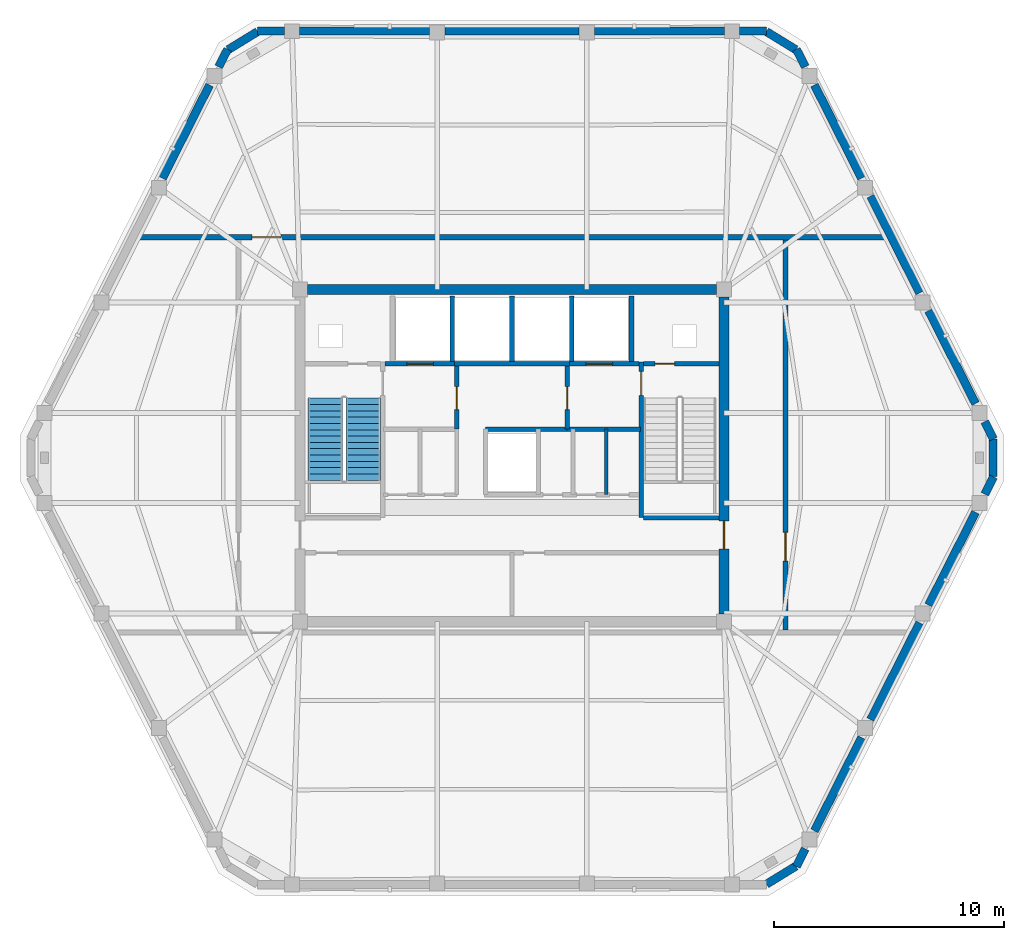
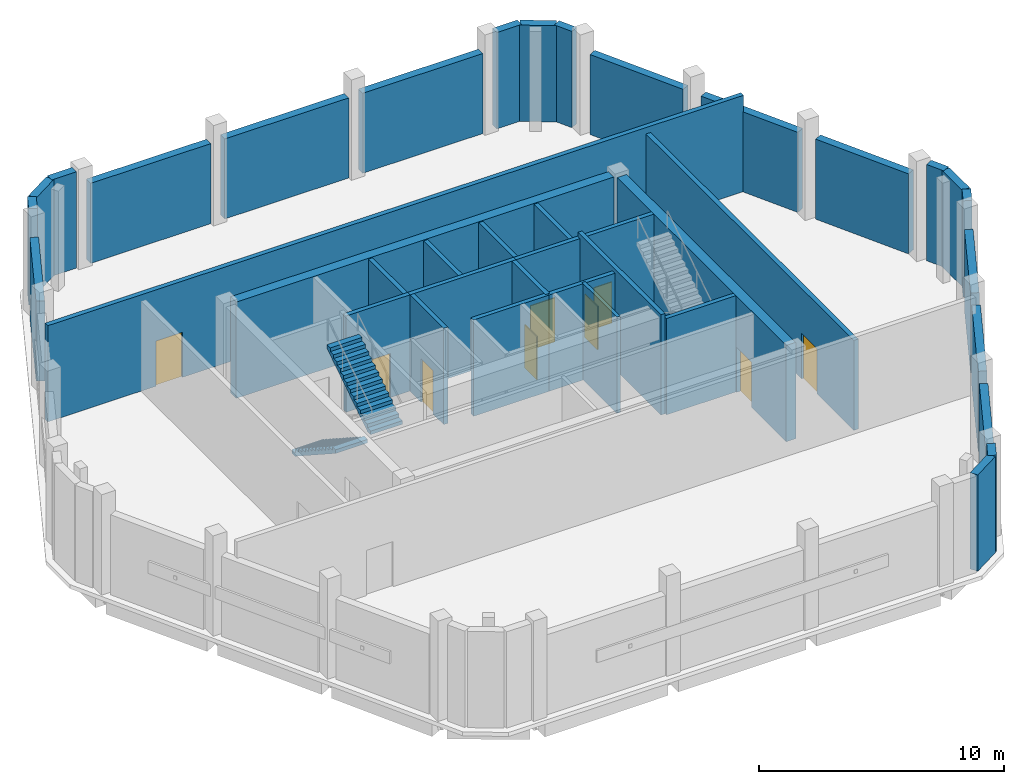
# One storey, part 4 of 8: 40 walls, 9 doors, 2 stair flights, 9 openings, 1 element without a shape of its own.
"""IFC4 building model written with IfcOpenShell, lengths in metres."""

from ifc_helpers import new_model, si_unit, direction, frame, frame_2d, origin, place, context, subcontext, project, spatial, polyline, rectangle, outline, extrude, material, layer, layer_set, type_object, element, fill, aggregate, save


model = new_model("IFC4")

# Units and contexts
model_context = context("Model", 3, precision=1e-05, world=origin(), true_north=direction((0.0, 1.0)))
body_context = subcontext(model_context, "Body", "Model", "MODEL_VIEW")
ifc_project = project(units=[si_unit("LENGTHUNIT", "METRE"), si_unit("AREAUNIT", "SQUARE_METRE"), si_unit("VOLUMEUNIT", "CUBIC_METRE"), si_unit("PLANEANGLEUNIT", "RADIAN"), si_unit("MASSUNIT", "GRAM", prefix="KILO")], contexts=[model_context])

# Site, building, storey
site_placement = place(None, origin())
site = spatial("IfcSite", under=ifc_project, at=site_placement, CompositionType="ELEMENT")
building_placement = place(site_placement, origin())
building = spatial("IfcBuilding", under=site, at=building_placement, Name="Cinnabar Lancet Tower", CompositionType="ELEMENT")
storey_placement = place(building_placement, frame((0.0, 0.0, 295.5)))
storey = spatial("IfcBuildingStorey", under=building, at=storey_placement, Name="L78", CompositionType="ELEMENT", Elevation=295.5)

# Wall
ifc_material_1 = material(Name="Acoustic twin-stud gypsum partition", Category="gypsum")
ifc_layer_1 = layer(ifc_material_1, 0.159912109375)
ifc_layer_set_1 = layer_set([ifc_layer_1], Name="Acoustic twin-stud gypsum partition")
wall_type_1 = type_object("IfcWallType", Name="ARC-WL-CORR-160", PredefinedType="PARTITIONING", material=ifc_layer_set_1)
wall_1_placement = place(storey_placement, frame((36.5, 24.199951171875, 0.0), z_axis=(0.0, 0.0, 1.0), x_axis=(0.0, 1.0, 0.0)))
element("IfcWall", 1, at=wall_1_placement, inside=storey, type_object=wall_type_1, Name="CW-REC6D2-L78", PredefinedType="PARTITIONING", context=body_context, shape_type="SweptSolid", body=[
    extrude(rectangle(XDim=2.85009765625, YDim=0.159912109375, at=frame_2d((1.425048828125, 0.0))), origin(), (0.0, 0.0, 1.0), 4.800048828125),
])

# Wall, opening, door
ifc_material_2 = material(Name="Acoustic masonry plant room wall", Category="masonry")
ifc_layer_2 = layer(ifc_material_2, 0.219970703125)
ifc_layer_set_2 = layer_set([ifc_layer_2], Name="Acoustic masonry plant room wall")
wall_type_2 = type_object("IfcWallType", Name="ARC-WL-PLANT-220", PredefinedType="PARTITIONING", material=ifc_layer_set_2)
wall_2_placement = place(storey_placement, frame((44.300048828125, 18.31494140625, 0.0), z_axis=(0.0, 0.0, 1.0), x_axis=(0.0, 1.0, 0.0)))
wall_2 = element("IfcWall", 2, at=wall_2_placement, inside=storey, type_object=wall_type_2, Name="PW-L78-PE", PredefinedType="PARTITIONING", context=body_context, shape_type="SweptSolid", body=[
    extrude(rectangle(XDim=16.969970703125, YDim=0.219970703125, at=frame_2d((8.48486328125, 0.0))), origin(), (0.0, 0.0, 1.0), 4.487060546875),
])
opening_1_placement = place(wall_2_placement, frame((3.0, 0.0, 0.0)))
opening_1 = element("IfcOpeningElement", 3, at=opening_1_placement, cuts=wall_2, Name="Opening PD-01", PredefinedType="OPENING", context=body_context, shape_type="SweptSolid", body=[
    extrude(rectangle(XDim=1.25, YDim=2.25, at=frame_2d((0.625, 1.125))), frame((0.0, 0.119873046875, 0.0), z_axis=(0.0, -1.0, 0.0), x_axis=(1.0, 0.0, 0.0)), (0.0, 0.0, 1.0), 0.239990234375),
])
ifc_material_3 = material(Name="Louvred fire-rated steel plant room double door", Category="steel")
door_type_1 = type_object("IfcDoorType", Name="ARC-DR-PLANT", OperationType="NOTDEFINED", PredefinedType="DOOR", material=ifc_material_3)
door_1_placement = place(opening_1_placement, origin())
door_1 = element("IfcDoor", 4, at=door_1_placement, inside=storey, type_object=door_type_1, Name="DR-L78-PLE", OperationType="SINGLE_SWING_LEFT", OverallHeight=2.25, OverallWidth=1.25, PredefinedType="DOOR", context=body_context, shape_type="SweptSolid", body=[
    extrude(rectangle(XDim=1.25, YDim=2.25, at=frame_2d((0.625, 1.125))), frame((0.0, 0.02490234375, 0.0), z_axis=(0.0, -1.0, 0.0), x_axis=(1.0, 0.0, 0.0)), (0.0, 0.0, 1.0), 0.050048828125),
])
fill(opening_1, door_1)

wall_3_placement = place(storey_placement, frame((16.0009765625, 35.39990234375, 0.0), z_axis=(0.0, 0.0, 1.0), x_axis=(1.0, 0.0, 0.0)))
wall_3 = element("IfcWall", 5, at=wall_3_placement, inside=storey, type_object=wall_type_2, Name="PW-L78-PN", PredefinedType="PARTITIONING", context=body_context, shape_type="SweptSolid", body=[
    extrude(rectangle(XDim=32.798095703125, YDim=0.219970703125, at=frame_2d((16.39892578125, 0.0))), origin(), (0.0, 0.0, 1.0), 4.800048828125),
])
opening_2_placement = place(wall_3_placement, frame((5.09912109375, 0.0, 0.0)))
opening_2 = element("IfcOpeningElement", 6, at=opening_2_placement, cuts=wall_3, Name="Opening PD-01", PredefinedType="OPENING", context=body_context, shape_type="SweptSolid", body=[
    extrude(rectangle(XDim=1.25, YDim=2.25, at=frame_2d((0.625, 1.125))), frame((0.0, 0.119873046875, 0.0), z_axis=(0.0, -1.0, 0.0), x_axis=(1.0, 0.0, 0.0)), (0.0, 0.0, 1.0), 0.239990234375),
])
door_2_placement = place(opening_2_placement, origin())
door_2 = element("IfcDoor", 7, at=door_2_placement, inside=storey, type_object=door_type_1, Name="DR-L78-PLN", OperationType="SINGLE_SWING_LEFT", OverallHeight=2.25, OverallWidth=1.25, PredefinedType="DOOR", context=body_context, shape_type="SweptSolid", body=[
    extrude(rectangle(XDim=1.25, YDim=2.25, at=frame_2d((0.625, 1.125))), frame((0.0, 0.02490234375, 0.0), z_axis=(0.0, -1.0, 0.0), x_axis=(1.0, 0.0, 0.0)), (0.0, 0.0, 1.0), 0.050048828125),
])
fill(opening_2, door_2)

# Wall
ifc_material_4 = material(Name="Autoclaved aerated concrete blockwork", Category="masonry")
ifc_layer_3 = layer(ifc_material_4, 0.199951171875)
ifc_layer_set_3 = layer_set([ifc_layer_3], Name="Autoclaved aerated concrete blockwork")
wall_type_3 = type_object("IfcWallType", Name="ARC-WL-SHAFT-200", PredefinedType="PLUMBINGWALL", material=ifc_layer_set_3)
wall_4_placement = place(storey_placement, frame((38.125, 23.199951171875, 0.0), z_axis=(0.0, 0.0, 1.0), x_axis=(1.0, 0.0, 0.0)))
element("IfcWall", 8, at=wall_4_placement, inside=storey, type_object=wall_type_3, Name="CW-ST2S-L78", PredefinedType="PLUMBINGWALL", context=body_context, shape_type="SweptSolid", body=[
    extrude(rectangle(XDim=3.27001953125, YDim=0.199951171875, at=frame_2d((1.635009765625, 0.0))), origin(), (0.0, 0.0, 1.0), 4.800048828125),
])

# Wall, opening, door
wall_5_placement = place(storey_placement, frame((26.885009765625, 29.89990234375, 0.0), z_axis=(0.0, 0.0, 1.0), x_axis=(1.0, 0.0, 0.0)))
wall_5 = element("IfcWall", 9, at=wall_5_placement, inside=storey, type_object=wall_type_3, Name="CW-FL1-L78", PredefinedType="PLUMBINGWALL", context=body_context, shape_type="SweptSolid", body=[
    extrude(rectangle(XDim=3.014892578125, YDim=0.199951171875, at=frame_2d((1.50732421875, 0.0))), origin(), (0.0, 0.0, 1.0), 4.800048828125),
])
opening_3_placement = place(wall_5_placement, frame((0.93994140625, 0.0, 0.0)))
opening_3 = element("IfcOpeningElement", 10, at=opening_3_placement, cuts=wall_5, Name="Opening LD-02", PredefinedType="OPENING", context=body_context, shape_type="SweptSolid", body=[
    extrude(rectangle(XDim=1.14990234375, YDim=2.199951171875, at=frame_2d((0.574951171875, 1.10009765625))), frame((0.0, 0.10986328125, 0.0), z_axis=(0.0, -1.0, 0.0), x_axis=(1.0, 0.0, 0.0)), (0.0, 0.0, 1.0), 0.219970703125),
])
ifc_material_5 = material(Name="Fire-rated stainless steel firefighting lift landing door", Category="steel")
door_type_2 = type_object("IfcDoorType", Name="ARC-DR-LD-FIRE", OperationType="NOTDEFINED", PredefinedType="DOOR", material=ifc_material_5)
door_3_placement = place(opening_3_placement, origin())
door_3 = element("IfcDoor", 11, at=door_3_placement, inside=storey, type_object=door_type_2, Name="L78 Firefighting Lift FL-1 Landing Door", OperationType="DOUBLE_DOOR_SLIDING", OverallHeight=2.199951171875, OverallWidth=1.14990234375, PredefinedType="DOOR", context=body_context, shape_type="SweptSolid", body=[
    extrude(rectangle(XDim=1.14990234375, YDim=2.199951171875, at=frame_2d((0.574951171875, 1.10009765625))), frame((0.0, 0.02490234375, 0.0), z_axis=(0.0, -1.0, 0.0), x_axis=(1.0, 0.0, 0.0)), (0.0, 0.0, 1.0), 0.050048828125),
])
fill(opening_3, door_3)

# Wall
wall_6_placement = place(storey_placement, frame((29.89990234375, 29.89990234375, 0.0), z_axis=(0.0, 0.0, 1.0), x_axis=(1.0, 0.0, 0.0)))
element("IfcWall", 12, at=wall_6_placement, inside=storey, type_object=wall_type_3, Name="CW-PL78-L78", PredefinedType="PLUMBINGWALL", context=body_context, shape_type="SweptSolid", body=[
    extrude(rectangle(XDim=5.0, YDim=0.199951171875, at=frame_2d((2.5, 0.0))), origin(), (0.0, 0.0, 1.0), 4.800048828125),
])

# Wall, opening, door
wall_7_placement = place(storey_placement, frame((34.89990234375, 29.89990234375, 0.0), z_axis=(0.0, 0.0, 1.0), x_axis=(1.0, 0.0, 0.0)))
wall_7 = element("IfcWall", 13, at=wall_7_placement, inside=storey, type_object=wall_type_3, Name="CW-FL2-L78", PredefinedType="PLUMBINGWALL", context=body_context, shape_type="SweptSolid", body=[
    extrude(rectangle(XDim=3.01513671875, YDim=0.199951171875, at=frame_2d((1.507568359375, 0.0))), origin(), (0.0, 0.0, 1.0), 4.800048828125),
])
opening_4_placement = place(wall_7_placement, frame((0.72509765625, 0.0, 0.0)))
opening_4 = element("IfcOpeningElement", 14, at=opening_4_placement, cuts=wall_7, Name="Opening LD-02", PredefinedType="OPENING", context=body_context, shape_type="SweptSolid", body=[
    extrude(rectangle(XDim=1.14990234375, YDim=2.199951171875, at=frame_2d((0.574951171875, 1.10009765625))), frame((0.0, 0.10986328125, 0.0), z_axis=(0.0, -1.0, 0.0), x_axis=(1.0, 0.0, 0.0)), (0.0, 0.0, 1.0), 0.219970703125),
])
door_4_placement = place(opening_4_placement, origin())
door_4 = element("IfcDoor", 15, at=door_4_placement, inside=storey, type_object=door_type_2, Name="L78 Firefighting Lift FL-2 Landing Door", OperationType="DOUBLE_DOOR_SLIDING", OverallHeight=2.199951171875, OverallWidth=1.14990234375, PredefinedType="DOOR", context=body_context, shape_type="SweptSolid", body=[
    extrude(rectangle(XDim=1.14990234375, YDim=2.199951171875, at=frame_2d((0.574951171875, 1.10009765625))), frame((0.0, 0.02490234375, 0.0), z_axis=(0.0, -1.0, 0.0), x_axis=(1.0, 0.0, 0.0)), (0.0, 0.0, 1.0), 0.050048828125),
])
fill(opening_4, door_4)

wall_8_placement = place(storey_placement, frame((38.125, 29.89990234375, 0.0), z_axis=(0.0, 0.0, 1.0), x_axis=(1.0, 0.0, 0.0)))
wall_8 = element("IfcWall", 16, at=wall_8_placement, inside=storey, type_object=wall_type_3, Name="CW-NSH-E-L78", PredefinedType="PLUMBINGWALL", context=body_context, shape_type="SweptSolid", body=[
    extrude(rectangle(XDim=3.27001953125, YDim=0.199951171875, at=frame_2d((1.635009765625, 0.0))), origin(), (0.0, 0.0, 1.0), 4.800048828125),
])
opening_5_placement = place(wall_8_placement, frame((0.5, 0.0, 0.0)))
opening_5 = element("IfcOpeningElement", 17, at=opening_5_placement, cuts=wall_8, Name="Opening PD-02", PredefinedType="OPENING", context=body_context, shape_type="SweptSolid", body=[
    extrude(rectangle(XDim=0.85009765625, YDim=2.050048828125, at=frame_2d((0.425048828125, 1.02490234375))), frame((0.0, 0.10986328125, 0.0), z_axis=(0.0, -1.0, 0.0), x_axis=(1.0, 0.0, 0.0)), (0.0, 0.0, 1.0), 0.219970703125),
])
ifc_material_6 = material(Name="Fire-rated steel riser access door", Category="steel")
door_type_3 = type_object("IfcDoorType", Name="ARC-DR-RISER", OperationType="NOTDEFINED", PredefinedType="DOOR", material=ifc_material_6)
door_5_placement = place(opening_5_placement, origin())
door_5 = element("IfcDoor", 18, at=door_5_placement, inside=storey, type_object=door_type_3, Name="L78 East Riser Access Door", OperationType="SINGLE_SWING_RIGHT", OverallHeight=2.050048828125, OverallWidth=0.85009765625, PredefinedType="DOOR", context=body_context, shape_type="SweptSolid", body=[
    extrude(rectangle(XDim=0.85009765625, YDim=2.050048828125, at=frame_2d((0.425048828125, 1.02490234375))), frame((0.0, 0.02490234375, 0.0), z_axis=(0.0, -1.0, 0.0), x_axis=(1.0, 0.0, 0.0)), (0.0, 0.0, 1.0), 0.050048828125),
])
fill(opening_5, door_5)

# Walls
for number, where, z_axis, x_axis, name in (
    (19, (29.800048828125, 30.0, 0.0), (0.0, 0.0, 1.0), (0.0, 1.0, 0.0), "CW-NSH-D2-L78"),
    (20, (32.39990234375, 30.0, 0.0), (0.0, 0.0, 1.0), (0.0, 1.0, 0.0), "CW-NSH-D3-L78"),
    (21, (35.0, 30.0, 0.0), (0.0, 0.0, 1.0), (0.0, 1.0, 0.0), "CW-NSH-D4-L78"),
    (22, (37.60009765625, 30.0, 0.0), (0.0, 0.0, 1.0), (0.0, 1.0, 0.0), "CW-NSH-D5-L78"),
):
    element("IfcWall", number, at=place(storey_placement, frame(where, z_axis=z_axis, x_axis=x_axis)), inside=storey, type_object=wall_type_3, Name=name, PredefinedType="PLUMBINGWALL", context=body_context, shape_type="SweptSolid", body=[
        extrude(rectangle(XDim=2.85009765625, YDim=0.199951171875, at=frame_2d((1.425048828125, 0.0))), origin(), (0.0, 0.0, 1.0), 4.800048828125),
    ])

# Wall, opening, door
wall_9_placement = place(storey_placement, frame((30.0, 27.050048828125, 0.0), z_axis=(0.0, 0.0, 1.0), x_axis=(0.0, 1.0, 0.0)))
wall_9 = element("IfcWall", 23, at=wall_9_placement, inside=storey, type_object=wall_type_3, Name="CW-FF1E-L78", PredefinedType="PLUMBINGWALL", context=body_context, shape_type="SweptSolid", body=[
    extrude(rectangle(XDim=2.75, YDim=0.199951171875, at=frame_2d((1.375, 0.0))), origin(), (0.0, 0.0, 1.0), 4.800048828125),
])
opening_6_placement = place(wall_9_placement, frame((0.85009765625, 0.0, 0.0)))
opening_6 = element("IfcOpeningElement", 24, at=opening_6_placement, cuts=wall_9, Name="Opening FD-01", PredefinedType="OPENING", context=body_context, shape_type="SweptSolid", body=[
    extrude(rectangle(XDim=1.0, YDim=2.14990234375, at=frame_2d((0.5, 1.074951171875))), frame((0.0, 0.10986328125, 0.0), z_axis=(0.0, -1.0, 0.0), x_axis=(1.0, 0.0, 0.0)), (0.0, 0.0, 1.0), 0.219970703125),
])
ifc_material_7 = material(Name="Fire-rated timber-core lobby door", Category="wood")
door_type_4 = type_object("IfcDoorType", Name="ARC-DR-FFAL", OperationType="NOTDEFINED", PredefinedType="DOOR", material=ifc_material_7)
door_6_placement = place(opening_6_placement, origin())
door_6 = element("IfcDoor", 25, at=door_6_placement, inside=storey, type_object=door_type_4, Name="L78 FFAL-1 Lobby Fire Door", OperationType="SINGLE_SWING_RIGHT", OverallHeight=2.14990234375, OverallWidth=1.0, PredefinedType="DOOR", context=body_context, shape_type="SweptSolid", body=[
    extrude(rectangle(XDim=1.0, YDim=2.14990234375, at=frame_2d((0.5, 1.074951171875))), frame((0.0, 0.02490234375, 0.0), z_axis=(0.0, -1.0, 0.0), x_axis=(1.0, 0.0, 0.0)), (0.0, 0.0, 1.0), 0.050048828125),
])
fill(opening_6, door_6)

wall_10_placement = place(storey_placement, frame((34.800048828125, 27.050048828125, 0.0), z_axis=(0.0, 0.0, 1.0), x_axis=(0.0, 1.0, 0.0)))
wall_10 = element("IfcWall", 26, at=wall_10_placement, inside=storey, type_object=wall_type_3, Name="CW-FF2W-L78", PredefinedType="PLUMBINGWALL", context=body_context, shape_type="SweptSolid", body=[
    extrude(rectangle(XDim=2.75, YDim=0.199951171875, at=frame_2d((1.375, 0.0))), origin(), (0.0, 0.0, 1.0), 4.800048828125),
])
opening_7_placement = place(wall_10_placement, frame((0.85009765625, 0.0, 0.0)))
opening_7 = element("IfcOpeningElement", 27, at=opening_7_placement, cuts=wall_10, Name="Opening FD-01", PredefinedType="OPENING", context=body_context, shape_type="SweptSolid", body=[
    extrude(rectangle(XDim=1.0, YDim=2.14990234375, at=frame_2d((0.5, 1.074951171875))), frame((0.0, 0.10986328125, 0.0), z_axis=(0.0, -1.0, 0.0), x_axis=(1.0, 0.0, 0.0)), (0.0, 0.0, 1.0), 0.219970703125),
])
door_7_placement = place(opening_7_placement, origin())
door_7 = element("IfcDoor", 28, at=door_7_placement, inside=storey, type_object=door_type_4, Name="L78 FFAL-2 Lobby Fire Door", OperationType="SINGLE_SWING_LEFT", OverallHeight=2.14990234375, OverallWidth=1.0, PredefinedType="DOOR", context=body_context, shape_type="SweptSolid", body=[
    extrude(rectangle(XDim=1.0, YDim=2.14990234375, at=frame_2d((0.5, 1.074951171875))), frame((0.0, 0.02490234375, 0.0), z_axis=(0.0, -1.0, 0.0), x_axis=(1.0, 0.0, 0.0)), (0.0, 0.0, 1.0), 0.050048828125),
])
fill(opening_7, door_7)

# Walls
wall_11_placement = place(storey_placement, frame((34.800048828125, 27.050048828125, 0.0), z_axis=(0.0, 0.0, 1.0), x_axis=(1.0, 0.0, 0.0)))
element("IfcWall", 29, at=wall_11_placement, inside=storey, type_object=wall_type_3, Name="CW-FF2S-L78", PredefinedType="PLUMBINGWALL", context=body_context, shape_type="SweptSolid", body=[
    extrude(rectangle(XDim=3.199951171875, YDim=0.199951171875, at=frame_2d((1.60009765625, 0.0))), origin(), (0.0, 0.0, 1.0), 4.800048828125),
])
wall_12_placement = place(storey_placement, frame((31.25, 27.050048828125, 0.0), z_axis=(0.0, 0.0, 1.0), x_axis=(1.0, 0.0, 0.0)))
element("IfcWall", 30, at=wall_12_placement, inside=storey, type_object=wall_type_3, Name="CW-PL96N-L78", PredefinedType="PLUMBINGWALL", context=body_context, shape_type="SweptSolid", body=[
    extrude(rectangle(XDim=3.550048828125, YDim=0.199951171875, at=frame_2d((1.77490234375, 0.0))), origin(), (0.0, 0.0, 1.0), 4.800048828125),
])
ifc_material_8 = material(Name="Dark charcoal engineering brick", Category="masonry")
ifc_layer_4 = layer(ifc_material_8, 0.360107421875)
ifc_layer_set_4 = layer_set([ifc_layer_4], Name="Dark charcoal engineering brick")
wall_type_4 = type_object("IfcWallType", Name="ENV-WL-BRK-CHR-360", PredefinedType="STANDARD", material=ifc_layer_set_4)
wall_13_placement = place(storey_placement, frame((43.470947265625, 7.257080078125, 0.0), z_axis=(0.0, 0.0, 1.0), x_axis=(0.852199198594, 0.523217474781, 0.0)))
element("IfcWall", 31, at=wall_13_placement, inside=storey, type_object=wall_type_4, Name="L78 Chamfered Corner Brick Pier 2.1", PredefinedType="STANDARD", context=body_context, shape_type="SweptSolid", body=[
    extrude(rectangle(XDim=1.501953125, YDim=0.360107421875, at=frame_2d((0.7509765625, 0.0))), origin(), (0.0, 0.0, 1.0), 4.800048828125),
])
wall_14_placement = place(storey_placement, frame((53.322998046875, 24.98291015625, 0.0), z_axis=(0.0, 0.0, 1.0), x_axis=(0.0, 1.0, 0.0)))
element("IfcWall", 32, at=wall_14_placement, inside=storey, type_object=wall_type_4, Name="L78 Chamfered Corner Brick Pier 3.1", PredefinedType="STANDARD", context=body_context, shape_type="SweptSolid", body=[
    extrude(rectangle(XDim=1.634033203125, YDim=0.360107421875, at=frame_2d((0.81689453125, 0.0))), origin(), (0.0, 0.0, 1.0), 4.800048828125),
])
for number, where, z_axis, x_axis, name in (
    (33, (44.7509765625, 43.556884765625, 0.0), (0.0, 0.0, 1.0), (-0.852126722184, 0.523335503611, 0.0), "L78 Chamfered Corner Brick Pier 4.1"),
    (34, (21.3291015625, 44.343017578125, 0.0), (0.0, 0.0, 1.0), (-0.852126722184, -0.523335503611, 0.0), "L78 Chamfered Corner Brick Pier 5.1"),
):
    element("IfcWall", number, at=place(storey_placement, frame(where, z_axis=z_axis, x_axis=x_axis)), inside=storey, type_object=wall_type_4, Name=name, PredefinedType="STANDARD", context=body_context, shape_type="SweptSolid", body=[
        extrude(rectangle(XDim=1.502197265625, YDim=0.360107421875, at=frame_2d((0.7509765625, 0.0))), origin(), (0.0, 0.0, 1.0), 4.800048828125),
    ])
wall_15_placement = place(storey_placement, frame((44.77197265625, 8.02587890625, 0.0), z_axis=(0.0, 0.0, 1.0), x_axis=(0.451319562919, 0.892362399548, 0.0)))
element("IfcWall", 35, at=wall_15_placement, inside=storey, type_object=wall_type_4, Name="L78 Face 2 Masonry Bay Wall 1", PredefinedType="STANDARD", context=body_context, shape_type="SweptSolid", body=[
    extrude(rectangle(XDim=0.855224609375, YDim=0.360107421875, at=frame_2d((0.427734375, 0.0))), origin(), (0.0, 0.0, 1.0), 4.800048828125),
])
wall_16_placement = place(storey_placement, frame((45.555908203125, 9.576904296875, 0.0), z_axis=(0.0, 0.0, 1.0), x_axis=(0.451330883617, 0.892356673922, 0.0)))
element("IfcWall", 36, at=wall_16_placement, inside=storey, type_object=wall_type_4, Name="L78 Face 2 Masonry Bay Wall 2", PredefinedType="STANDARD", context=body_context, shape_type="SweptSolid", body=[
    extrude(rectangle(XDim=4.548828125, YDim=0.360107421875, at=frame_2d((2.2744140625, 0.0))), origin(), (0.0, 0.0, 1.0), 3.989990234375),
])
wall_17_placement = place(storey_placement, frame((48.001953125, 14.4130859375, 0.0), z_axis=(0.0, 0.0, 1.0), x_axis=(0.451472275188, 0.892285147661, 0.0)))
element("IfcWall", 37, at=wall_17_placement, inside=storey, type_object=wall_type_4, Name="L78 Face 2 Masonry Bay Wall 3", PredefinedType="STANDARD", context=body_context, shape_type="SweptSolid", body=[
    extrude(rectangle(XDim=4.71826171875, YDim=0.360107421875, at=frame_2d((2.359130859375, 0.0))), origin(), (0.0, 0.0, 1.0), 3.989990234375),
])
wall_18_placement = place(storey_placement, frame((50.52294921875, 19.39697265625, 0.0), z_axis=(0.0, 0.0, 1.0), x_axis=(0.451264337917, 0.892390327897, 0.0)))
element("IfcWall", 38, at=wall_18_placement, inside=storey, type_object=wall_type_4, Name="L78 Face 2 Masonry Bay Wall 4", PredefinedType="STANDARD", context=body_context, shape_type="SweptSolid", body=[
    extrude(rectangle(XDim=4.527099609375, YDim=0.360107421875, at=frame_2d((2.263671875, 0.0))), origin(), (0.0, 0.0, 1.0), 3.989990234375),
])
for number, where, z_axis, x_axis, name in (
    (39, (52.965087890625, 24.22412109375, 0.0), (0.0, 0.0, 1.0), (0.450919109914, 0.892564819111, 0.0), "L78 Face 2 Masonry Bay Wall 5"),
    (40, (53.344970703125, 26.6240234375, 0.0), (0.0, 0.0, 1.0), (-0.450919109914, 0.892564819111, 0.0), "L78 Face 3 Masonry Bay Wall 1"),
):
    element("IfcWall", number, at=place(storey_placement, frame(where, z_axis=z_axis, x_axis=x_axis)), inside=storey, type_object=wall_type_4, Name=name, PredefinedType="STANDARD", context=body_context, shape_type="SweptSolid", body=[
        extrude(rectangle(XDim=0.842529296875, YDim=0.360107421875, at=frame_2d((0.42138671875, 0.0))), origin(), (0.0, 0.0, 1.0), 4.800048828125),
    ])
wall_19_placement = place(storey_placement, frame((52.56591796875, 28.1630859375, 0.0), z_axis=(0.0, 0.0, 1.0), x_axis=(-0.451286055597, 0.892379345359, 0.0)))
element("IfcWall", 41, at=wall_19_placement, inside=storey, type_object=wall_type_4, Name="L78 Face 3 Masonry Bay Wall 2", PredefinedType="STANDARD", context=body_context, shape_type="SweptSolid", body=[
    extrude(rectangle(XDim=4.527099609375, YDim=0.360107421875, at=frame_2d((2.263671875, 0.0))), origin(), (0.0, 0.0, 1.0), 3.989990234375),
])
wall_20_placement = place(storey_placement, frame((50.132080078125, 32.97705078125, 0.0), z_axis=(0.0, 0.0, 1.0), x_axis=(-0.451472275188, 0.892285147661, 0.0)))
element("IfcWall", 42, at=wall_20_placement, inside=storey, type_object=wall_type_4, Name="L78 Face 3 Masonry Bay Wall 3", PredefinedType="STANDARD", context=body_context, shape_type="SweptSolid", body=[
    extrude(rectangle(XDim=4.71826171875, YDim=0.360107421875, at=frame_2d((2.359130859375, 0.0))), origin(), (0.0, 0.0, 1.0), 3.989990234375),
])
wall_21_placement = place(storey_placement, frame((47.60888671875, 37.964111328125, 0.0), z_axis=(0.0, 0.0, 1.0), x_axis=(-0.451352500963, 0.8923457401, 0.0)))
element("IfcWall", 43, at=wall_21_placement, inside=storey, type_object=wall_type_4, Name="L78 Face 3 Masonry Bay Wall 4", PredefinedType="STANDARD", context=body_context, shape_type="SweptSolid", body=[
    extrude(rectangle(XDim=4.548583984375, YDim=0.360107421875, at=frame_2d((2.2744140625, 0.0))), origin(), (0.0, 0.0, 1.0), 3.989990234375),
])
wall_22_placement = place(storey_placement, frame((45.157958984375, 42.81103515625, 0.0), z_axis=(0.0, 0.0, 1.0), x_axis=(-0.451434556659, 0.892304231221, 0.0)))
element("IfcWall", 44, at=wall_22_placement, inside=storey, type_object=wall_type_4, Name="L78 Face 3 Masonry Bay Wall 5", PredefinedType="STANDARD", context=body_context, shape_type="SweptSolid", body=[
    extrude(rectangle(XDim=0.85498046875, YDim=0.360107421875, at=frame_2d((0.427490234375, 0.0))), origin(), (0.0, 0.0, 1.0), 4.800048828125),
])
wall_23_placement = place(storey_placement, frame((43.47705078125, 44.3701171875, 0.0), z_axis=(0.0, 0.0, 1.0), x_axis=(-1.0, 0.0, 0.0)))
element("IfcWall", 45, at=wall_23_placement, inside=storey, type_object=wall_type_4, Name="L78 Face 4 Masonry Bay Wall 1", PredefinedType="STANDARD", context=body_context, shape_type="SweptSolid", body=[
    extrude(rectangle(XDim=1.176025390625, YDim=0.360107421875, at=frame_2d((0.587890625, 0.0))), origin(), (0.0, 0.0, 1.0), 4.800048828125),
])
wall_24_placement = place(storey_placement, frame((41.64306640625, 44.3701171875, 0.0), z_axis=(0.0, 0.0, 1.0), x_axis=(-1.0, 0.0, 0.0)))
element("IfcWall", 46, at=wall_24_placement, inside=storey, type_object=wall_type_4, Name="L78 Face 4 Masonry Bay Wall 2", PredefinedType="STANDARD", context=body_context, shape_type="SweptSolid", body=[
    extrude(rectangle(XDim=5.66015625, YDim=0.360107421875, at=frame_2d((2.830078125, 0.0))), origin(), (0.0, 0.0, 1.0), 3.989990234375),
])
wall_25_placement = place(storey_placement, frame((35.324951171875, 44.3701171875, 0.0), z_axis=(0.0, 0.0, 1.0), x_axis=(-1.0, 0.0, 0.0)))
element("IfcWall", 47, at=wall_25_placement, inside=storey, type_object=wall_type_4, Name="L78 Face 4 Masonry Bay Wall 3", PredefinedType="STANDARD", context=body_context, shape_type="SweptSolid", body=[
    extrude(rectangle(XDim=5.849853515625, YDim=0.360107421875, at=frame_2d((2.9248046875, 0.0))), origin(), (0.0, 0.0, 1.0), 3.989990234375),
])
wall_26_placement = place(storey_placement, frame((28.81689453125, 44.3701171875, 0.0), z_axis=(0.0, 0.0, 1.0), x_axis=(-1.0, 0.0, 0.0)))
element("IfcWall", 48, at=wall_26_placement, inside=storey, type_object=wall_type_4, Name="L78 Face 4 Masonry Bay Wall 4", PredefinedType="STANDARD", context=body_context, shape_type="SweptSolid", body=[
    extrude(rectangle(XDim=5.659912109375, YDim=0.360107421875, at=frame_2d((2.830078125, 0.0))), origin(), (0.0, 0.0, 1.0), 3.989990234375),
])
wall_27_placement = place(storey_placement, frame((22.4990234375, 44.3701171875, 0.0), z_axis=(0.0, 0.0, 1.0), x_axis=(-1.0, 0.0, 0.0)))
element("IfcWall", 49, at=wall_27_placement, inside=storey, type_object=wall_type_4, Name="L78 Face 4 Masonry Bay Wall 5", PredefinedType="STANDARD", context=body_context, shape_type="SweptSolid", body=[
    extrude(rectangle(XDim=1.176025390625, YDim=0.360107421875, at=frame_2d((0.587890625, 0.0))), origin(), (0.0, 0.0, 1.0), 4.800048828125),
])
wall_28_placement = place(storey_placement, frame((20.028076171875, 43.573974609375, 0.0), z_axis=(0.0, 0.0, 1.0), x_axis=(-0.451434556659, -0.892304231221, 0.0)))
element("IfcWall", 50, at=wall_28_placement, inside=storey, type_object=wall_type_4, Name="L78 Face 5 Masonry Bay Wall 1", PredefinedType="STANDARD", context=body_context, shape_type="SweptSolid", body=[
    extrude(rectangle(XDim=0.85498046875, YDim=0.360107421875, at=frame_2d((0.427490234375, 0.0))), origin(), (0.0, 0.0, 1.0), 4.800048828125),
])
wall_29_placement = place(storey_placement, frame((19.243896484375, 42.02294921875, 0.0), z_axis=(0.0, 0.0, 1.0), x_axis=(-0.451352500963, -0.8923457401, 0.0)))
element("IfcWall", 51, at=wall_29_placement, inside=storey, type_object=wall_type_4, Name="L78 Face 5 Masonry Bay Wall 2", PredefinedType="STANDARD", context=body_context, shape_type="SweptSolid", body=[
    extrude(rectangle(XDim=4.548583984375, YDim=0.360107421875, at=frame_2d((2.2744140625, 0.0))), origin(), (0.0, 0.0, 1.0), 3.989990234375),
])
ifc_material_9 = material(Name="Concrete C50/60", Category="concrete")
ifc_layer_5 = layer(ifc_material_9, 0.449951171875)
ifc_layer_set_5 = layer_set([ifc_layer_5], Name="Concrete C50/60")
wall_type_5 = type_object("IfcWallType", Name="STR-WL-CORE-450", PredefinedType="SHEAR", material=ifc_layer_set_5)
wall_30_placement = place(storey_placement, frame((23.5, 33.125, 0.0), z_axis=(0.0, 0.0, 1.0), x_axis=(1.0, 0.0, 0.0)))
element("IfcWall", 52, at=wall_30_placement, inside=storey, type_object=wall_type_5, Name="L78 Core Shear Wall N", PredefinedType="SHEAR", context=body_context, shape_type="SweptSolid", body=[
    extrude(rectangle(XDim=17.800048828125, YDim=0.449951171875, at=frame_2d((8.89990234375, 0.0))), origin(), (0.0, 0.0, 1.0), 4.800048828125),
])

# Wall, opening, door
wall_31_placement = place(storey_placement, frame((41.625, 19.0, 0.0), z_axis=(0.0, 0.0, 1.0), x_axis=(0.0, 1.0, 0.0)))
wall_31 = element("IfcWall", 53, at=wall_31_placement, inside=storey, type_object=wall_type_5, Name="L78 Core Shear Wall E", PredefinedType="SHEAR", context=body_context, shape_type="SweptSolid", body=[
    extrude(rectangle(XDim=13.800048828125, YDim=0.449951171875, at=frame_2d((6.89990234375, 0.0))), origin(), (0.0, 0.0, 1.0), 4.800048828125),
])
opening_8_placement = place(wall_31_placement, frame((2.840087890625, 0.0, 0.0)))
opening_8 = element("IfcOpeningElement", 54, at=opening_8_placement, cuts=wall_31, Name="Opening FD-02", PredefinedType="OPENING", context=body_context, shape_type="SweptSolid", body=[
    extrude(rectangle(XDim=1.219970703125, YDim=2.25, at=frame_2d((0.60986328125, 1.125))), frame((0.0, 0.23486328125, 0.0), z_axis=(0.0, -1.0, 0.0), x_axis=(1.0, 0.0, 0.0)), (0.0, 0.0, 1.0), 0.469970703125),
])
ifc_material_10 = material(Name="Fire-rated double-vision core portal door", Category="wood")
door_type_5 = type_object("IfcDoorType", Name="ARC-DR-CPORT", OperationType="NOTDEFINED", PredefinedType="DOOR", material=ifc_material_10)
door_8_placement = place(opening_8_placement, origin())
door_8 = element("IfcDoor", 55, at=door_8_placement, inside=storey, type_object=door_type_5, Name="L78 East Core Lobby Fire Door", OperationType="SINGLE_SWING_LEFT", OverallHeight=2.25, OverallWidth=1.219970703125, PredefinedType="DOOR", context=body_context, shape_type="SweptSolid", body=[
    extrude(rectangle(XDim=1.219970703125, YDim=2.25, at=frame_2d((0.60986328125, 1.125))), frame((0.0, 0.02490234375, 0.0), z_axis=(0.0, -1.0, 0.0), x_axis=(1.0, 0.0, 0.0)), (0.0, 0.0, 1.0), 0.050048828125),
])
fill(opening_8, door_8)

ifc_material_11 = material(Name="Concrete C50/60", Category="concrete")
ifc_layer_6 = layer(ifc_material_11, 0.199951171875)
ifc_layer_set_6 = layer_set([ifc_layer_6], Name="Concrete C50/60")
wall_type_6 = type_object("IfcWallType", Name="STR-WL-STAIR-200", PredefinedType="SHEAR", material=ifc_layer_set_6)
wall_32_placement = place(storey_placement, frame((38.02001953125, 23.199951171875, 0.0), z_axis=(0.0, 0.0, 1.0), x_axis=(0.0, 1.0, 0.0)))
wall_32 = element("IfcWall", 56, at=wall_32_placement, inside=storey, type_object=wall_type_6, Name="L78 Stair ST-2 Structural Enclosure Wall", PredefinedType="SHEAR", context=body_context, shape_type="SweptSolid", body=[
    extrude(rectangle(XDim=6.780029296875, YDim=0.199951171875, at=frame_2d((3.39013671875, 0.0))), origin(), (0.0, 0.0, 1.0), 5.0),
])
opening_9_placement = place(wall_32_placement, frame((5.320068359375, 0.0, 0.0)))
opening_9 = element("IfcOpeningElement", 57, at=opening_9_placement, cuts=wall_32, Name="Opening SD-01", PredefinedType="OPENING", context=body_context, shape_type="SweptSolid", body=[
    extrude(rectangle(XDim=1.050048828125, YDim=2.14990234375, at=frame_2d((0.52490234375, 1.074951171875))), frame((0.0, 0.10986328125, 0.0), z_axis=(0.0, -1.0, 0.0), x_axis=(1.0, 0.0, 0.0)), (0.0, 0.0, 1.0), 0.219970703125),
])
ifc_material_12 = material(Name="Fire-rated steel stair exit door", Category="steel")
door_type_6 = type_object("IfcDoorType", Name="ARC-DR-STAIR", OperationType="NOTDEFINED", PredefinedType="DOOR", material=ifc_material_12)
door_9_placement = place(opening_9_placement, origin())
door_9 = element("IfcDoor", 58, at=door_9_placement, inside=storey, type_object=door_type_6, Name="L78 Stair ST-2 Fire Door", OperationType="SINGLE_SWING_RIGHT", OverallHeight=2.14990234375, OverallWidth=1.050048828125, PredefinedType="DOOR", context=body_context, shape_type="SweptSolid", body=[
    extrude(rectangle(XDim=1.050048828125, YDim=2.14990234375, at=frame_2d((0.52490234375, 1.074951171875))), frame((0.0, 0.02490234375, 0.0), z_axis=(0.0, -1.0, 0.0), x_axis=(1.0, 0.0, 0.0)), (0.0, 0.0, 1.0), 0.050048828125),
])
fill(opening_9, door_9)

# Stair, stair flights
ifc_material_13 = material(Name="Concrete C40/50", Category="concrete")
stair_type = type_object("IfcStairType", Name="ST-CORE", PredefinedType="HALF_TURN_STAIR", material=ifc_material_13)
stair_placement = place(storey_placement, origin())
stair = element("IfcStair", 59, at=stair_placement, inside=storey, type_object=stair_type, Name="L78 ST-1", PredefinedType="HALF_TURN_STAIR")
ifc_material_14 = material(Name="Concrete C40/50", Category="concrete")
stair_flight_type = type_object("IfcStairFlightType", Name="FLIGHT-CORE", PredefinedType="STRAIGHT", material=ifc_material_14)
stair_flight_1_placement = place(storey_placement, frame((24.27490234375, 28.39990234375, 0.0), z_axis=(0.0, 0.0, 1.0), x_axis=(0.0, -1.0, 0.0)))
stair_flight_1 = element("IfcStairFlight", 60, at=stair_flight_1_placement, type_object=stair_flight_type, Name="ST-1 flight 1", NumberOfRisers=14, NumberOfTreads=13, PredefinedType="STRAIGHT", RiserHeight=0.178571429, TreadLength=0.275, context=body_context, shape_type="SweptSolid", body=[
    extrude(outline(polyline([(0.0, 0.0), (0.0, 0.178466796875), (0.27490234375, 0.178466796875), (0.27490234375, 0.357177734375), (0.550048828125, 0.357177734375), (0.550048828125, 0.53564453125), (0.824951171875, 0.53564453125), (0.824951171875, 0.71435546875), (1.10009765625, 0.71435546875), (1.10009765625, 0.892822265625), (1.375, 0.892822265625), (1.375, 1.071533203125), (1.64990234375, 1.071533203125), (1.64990234375, 1.25), (1.925048828125, 1.25), (1.925048828125, 1.428466796875), (2.199951171875, 1.428466796875), (2.199951171875, 1.607177734375), (2.47509765625, 1.607177734375), (2.47509765625, 1.78564453125), (2.75, 1.78564453125), (2.75, 1.96435546875), (3.02490234375, 1.96435546875), (3.02490234375, 2.142822265625), (3.300048828125, 2.142822265625), (3.300048828125, 2.321533203125), (3.574951171875, 2.321533203125), (3.574951171875, 2.5), (3.574951171875, 2.142578125), (0.275146484375, 0.0), (0.0, 0.0)])), frame((0.0, 0.75, 0.0), z_axis=(0.0, -1.0, 0.0), x_axis=(1.0, 0.0, 0.0)), (0.0, 0.0, 1.0), 1.5),
])
stair_flight_2_placement = place(storey_placement, frame((25.925048828125, 24.824951171875, 2.5), z_axis=(0.0, 0.0, 1.0), x_axis=(0.0, 1.0, 0.0)))
stair_flight_2 = element("IfcStairFlight", 61, at=stair_flight_2_placement, type_object=stair_flight_type, Name="ST-1 flight 2", NumberOfRisers=14, NumberOfTreads=13, PredefinedType="STRAIGHT", RiserHeight=0.178571429, TreadLength=0.275, context=body_context, shape_type="SweptSolid", body=[
    extrude(outline(polyline([(0.0, 0.0), (0.0, 0.178466796875), (0.27490234375, 0.178466796875), (0.27490234375, 0.357177734375), (0.550048828125, 0.357177734375), (0.550048828125, 0.53564453125), (0.824951171875, 0.53564453125), (0.824951171875, 0.71435546875), (1.10009765625, 0.71435546875), (1.10009765625, 0.892822265625), (1.375, 0.892822265625), (1.375, 1.071533203125), (1.64990234375, 1.071533203125), (1.64990234375, 1.25), (1.925048828125, 1.25), (1.925048828125, 1.428466796875), (2.199951171875, 1.428466796875), (2.199951171875, 1.607177734375), (2.47509765625, 1.607177734375), (2.47509765625, 1.78564453125), (2.75, 1.78564453125), (2.75, 1.96435546875), (3.02490234375, 1.96435546875), (3.02490234375, 2.142822265625), (3.300048828125, 2.142822265625), (3.300048828125, 2.321533203125), (3.574951171875, 2.321533203125), (3.574951171875, 2.5), (3.574951171875, 2.142578125), (0.275146484375, 0.0), (0.0, 0.0)])), frame((0.0, 0.75, 0.0), z_axis=(0.0, -1.0, 0.0), x_axis=(1.0, 0.0, 0.0)), (0.0, 0.0, 1.0), 1.5),
])
aggregate(stair, [stair_flight_1, stair_flight_2])

save(model, "model.ifc")
